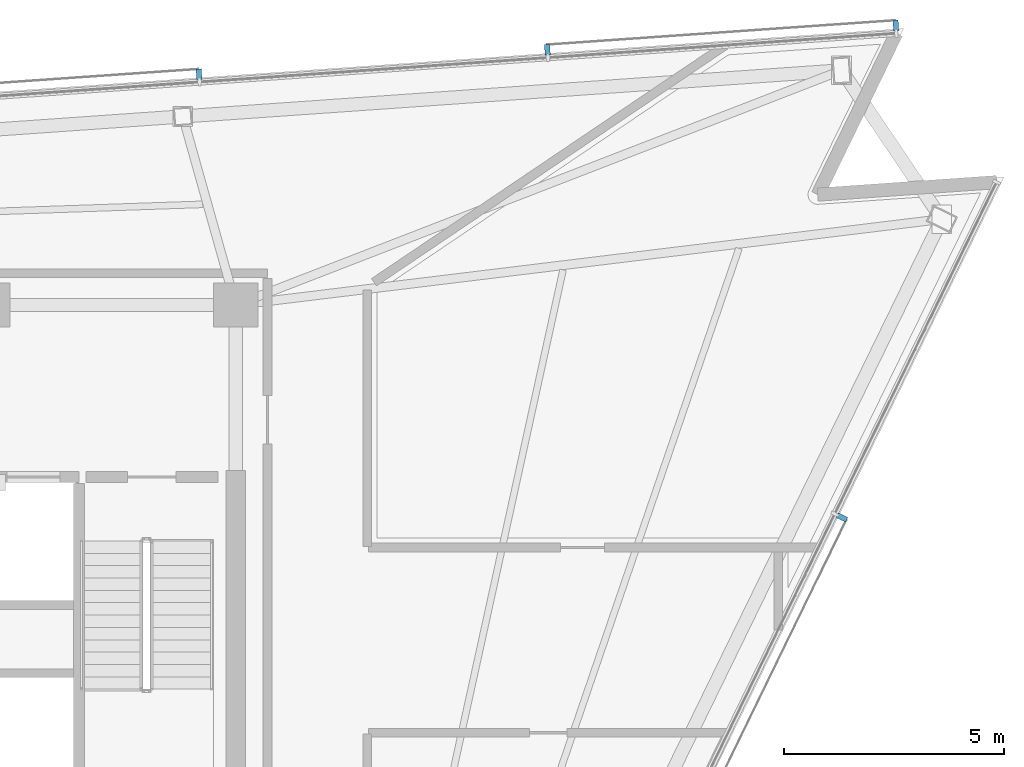
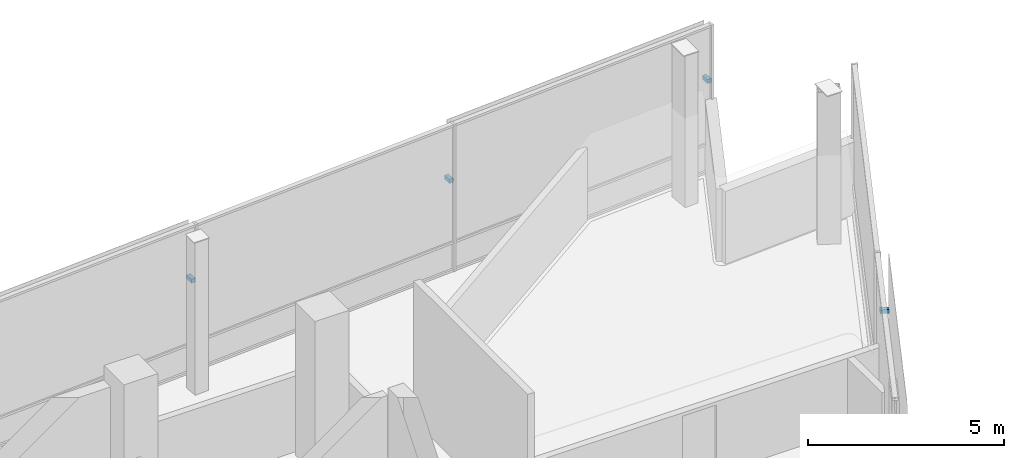
# One storey, part 13 of 16: 4 discrete accessories.
"""IFC4 building model written with IfcOpenShell, lengths in metres."""

from ifc_helpers import new_model, si_unit, direction, frame, origin, origin_2d, place, context, subcontext, project, spatial, rectangle, extrude, material, type_object, element, save


model = new_model("IFC4")

# Units and contexts
model_context = context("Model", 3, precision=1e-05, world=origin(), true_north=direction((0.0, 1.0)))
body_context = subcontext(model_context, "Body", "Model", "MODEL_VIEW")
ifc_project = project(units=[si_unit("LENGTHUNIT", "METRE"), si_unit("AREAUNIT", "SQUARE_METRE"), si_unit("VOLUMEUNIT", "CUBIC_METRE"), si_unit("PLANEANGLEUNIT", "RADIAN"), si_unit("MASSUNIT", "GRAM", prefix="KILO")], contexts=[model_context])

# Site, building, storey
site_placement = place(None, origin())
site = spatial("IfcSite", under=ifc_project, at=site_placement, CompositionType="ELEMENT")
building_placement = place(site_placement, origin())
building = spatial("IfcBuilding", under=site, at=building_placement, Name="Tharavind Bronze Gate", CompositionType="ELEMENT")
storey_placement = place(building_placement, frame((0.0, 0.0, 275.0)))
storey = spatial("IfcBuildingStorey", under=building, at=storey_placement, Name="L71", CompositionType="ELEMENT", Elevation=275.0)

# Discrete accessories
ifc_material = material(Name="Stainless Steel 316", Category="steel")
discrete_accessory_type = type_object("IfcDiscreteAccessoryType", Name="SOLAR SCREEN STANDOFF BRACKET", PredefinedType="BRACKET", material=ifc_material)
for number, where, z_axis, x_axis, name in (
    (1, (22.64697265625, 2.78466796875, 2.669921875), (0.0, 0.0, 1.0), (0.43837271548, 0.898793281196, 0.0), "CW-L71-S2 solar screen bracket 5.2"),
    (2, (23.867919921875, 13.940673828125, 2.669921875), (0.0, 0.0, 1.0), (-0.997563806758, -0.069759955899, 0.0), "CW-L71-S3 solar screen bracket 1.1"),
    (3, (15.966796875, 13.38818359375, 2.669921875), (0.0, 0.0, 1.0), (-0.997563806758, -0.069759955899, 0.0), "CW-L71-S3 solar screen bracket 1.2"),
    (4, (8.06591796875, 12.835693359375, 2.669921875), (0.0, 0.0, 1.0), (-0.997563806758, -0.069759955899, 0.0), "CW-L71-S3 solar screen bracket 3.1"),
):
    element("IfcDiscreteAccessory", number, at=place(storey_placement, frame(where, z_axis=z_axis, x_axis=x_axis)), inside=storey, type_object=discrete_accessory_type, Name=name, PredefinedType="BRACKET", context=body_context, shape_type="SweptSolid", body=[
        extrude(rectangle(XDim=0.1201171875, YDim=0.239990234375, at=origin_2d()), origin(), (0.0, 0.0, 1.0), 0.1201171875),
    ])

save(model, "model.ifc")
